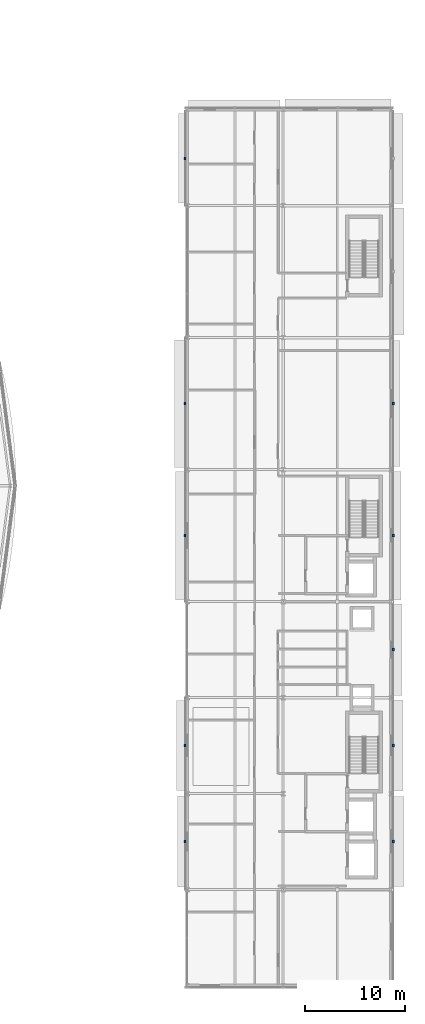
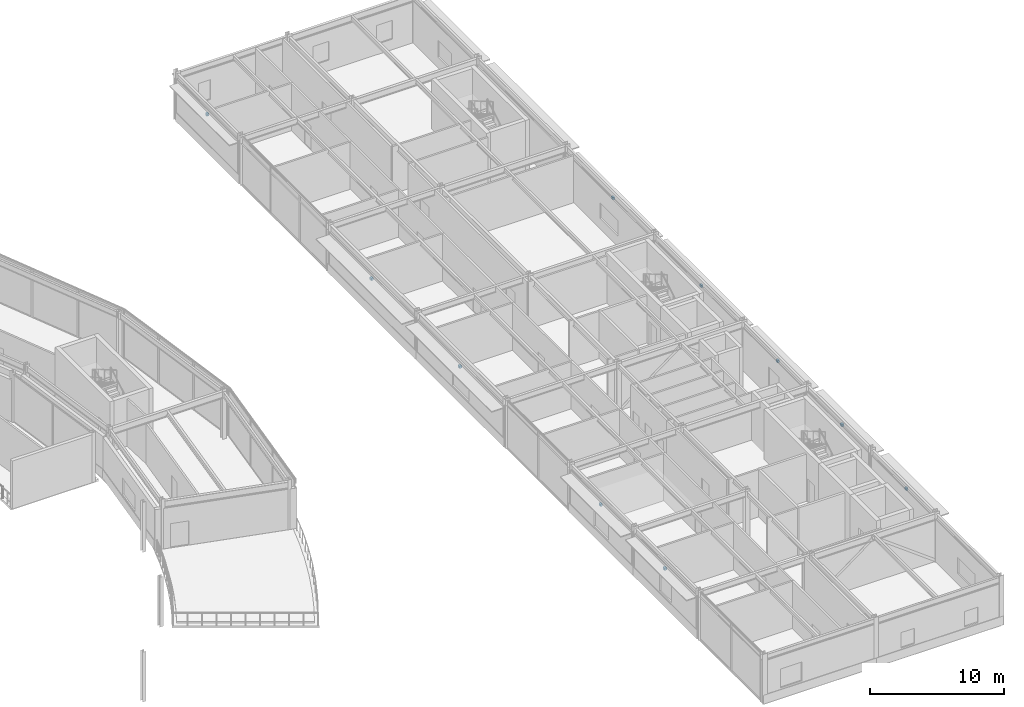
# One storey, part 98 of 116: 10 discrete accessories.
"""IFC4 building model written with IfcOpenShell, lengths in metres."""

import ifcopenshell
import ifcopenshell.guid

model = None  # the IFC model being written
_history = None  # IfcOwnerHistory: only IFC2X3 demands one
_inside = {}  # id of a spatial element -> (the spatial element, [elements in it])
_under = {}  # id of a project, library or spatial element -> (it, [spatial elements below it])
_declared = {}  # id of a project -> (the project, [libraries it declares])
_typed = {}  # id of a type object -> (the type object, [elements of that type])
_made_of = {}  # id of a material, layer set ... -> (it, [elements and type objects made of it])


def new_model(schema):
    """Start an empty IFC model of exactly this schema.

    Asked for "IFC4X3", IfcOpenShell would pick the latest addendum, in which some entities
    have other attributes; the version numbers below select the first issue.
    IFC2X3 requires an IfcOwnerHistory on every rooted entity: one is made here for all.
    """
    global model, _history
    if schema == "IFC4X3":
        model = ifcopenshell.file(schema_version=(4, 3, 0, 0))
    else:
        model = ifcopenshell.file(schema=schema)
    _inside.clear()
    _under.clear()
    _declared.clear()
    _typed.clear()
    _made_of.clear()
    _history = None
    if model.schema == "IFC2X3":
        org = make("IfcOrganization", Name="unknown")
        user = make(
            "IfcPersonAndOrganization",
            ThePerson=make("IfcPerson", FamilyName="unknown"),
            TheOrganization=org,
        )
        app = make(
            "IfcApplication",
            ApplicationDeveloper=org,
            Version="unknown",
            ApplicationFullName="unknown",
            ApplicationIdentifier="unknown",
        )
        _history = make(
            "IfcOwnerHistory",
            OwningUser=user,
            OwningApplication=app,
            ChangeAction="ADDED",
            CreationDate=0,
        )
    return model


def make(cls, **values):
    """One entity of the class cls with the attributes given. An attribute that is None is left unset."""
    return model.create_entity(
        cls, **{name: value for name, value in values.items() if value is not None}
    )


def rooted(cls, **values):
    """An entity with a GlobalId (a new one), such as an element, a storey or a relation."""
    return make(cls, GlobalId=ifcopenshell.guid.new(), OwnerHistory=_history, **values)


def si_unit(unit_type, name, prefix=None):
    """IfcSIUnit, for example si_unit("LENGTHUNIT", "METRE", prefix="MILLI")."""
    return make("IfcSIUnit", UnitType=unit_type, Prefix=prefix, Name=name)


def assignment(units):
    """IfcUnitAssignment: the units of a project."""
    return None if units is None else make("IfcUnitAssignment", Units=units)


def point(xyz):
    """IfcCartesianPoint."""
    return None if xyz is None else make("IfcCartesianPoint", Coordinates=xyz)


def direction(xyz):
    """IfcDirection."""
    return None if xyz is None else make("IfcDirection", DirectionRatios=xyz)


def frame(location, z_axis=None, x_axis=None):
    """IfcAxis2Placement3D, a coordinate frame: its origin and axes. An axis left out is left unset."""
    return make(
        "IfcAxis2Placement3D",
        Location=point(location),
        Axis=direction(z_axis),
        RefDirection=direction(x_axis),
    )


def frame_2d(location, x_axis=None):
    """IfcAxis2Placement2D, a coordinate frame in the plane: its origin and x axis."""
    return make(
        "IfcAxis2Placement2D", Location=point(location), RefDirection=direction(x_axis)
    )


def origin():
    """The frame at (0, 0, 0) with its axes left unset."""
    return frame((0.0, 0.0, 0.0))


def origin_2d():
    """The frame at (0, 0) in the plane with its x axis left unset."""
    return frame_2d((0.0, 0.0))


def place(relative_to, where):
    """IfcLocalPlacement: puts the frame where relative to a parent placement (None: the world)."""
    return make(
        "IfcLocalPlacement", PlacementRelTo=relative_to, RelativePlacement=where
    )


def context(
    kind, dimensions, precision=None, world=None, true_north=None, identifier=None
):
    """IfcGeometricRepresentationContext, for example the 3D "Model" context."""
    return make(
        "IfcGeometricRepresentationContext",
        ContextIdentifier=identifier,
        ContextType=kind,
        CoordinateSpaceDimension=dimensions,
        Precision=precision,
        WorldCoordinateSystem=world,
        TrueNorth=true_north,
    )


def subcontext(parent, identifier, kind, view, scale=None):
    """IfcGeometricRepresentationSubContext, for example "Body" below "Model"."""
    return make(
        "IfcGeometricRepresentationSubContext",
        ContextIdentifier=identifier,
        ContextType=kind,
        ParentContext=parent,
        TargetScale=scale,
        TargetView=view,
    )


def project(units=None, contexts=None):
    """IfcProject with its units and contexts."""
    return rooted(
        "IfcProject",
        Name="project",
        RepresentationContexts=contexts,
        UnitsInContext=assignment(units),
    )


def spatial(cls, under=None, at=None, **own):
    """A site, building, storey or space (cls), placed at a placement, below another one or the project."""
    s = rooted(cls, ObjectPlacement=at, **own)
    if under is not None:
        _under.setdefault(under.id(), (under, []))[1].append(s)
    return s


def profile(cls, at=None, kind="AREA", **sizes):
    """A parametric profile (cls). Its sizes go by their IFC names, for example OverallWidth=200.0."""
    return make(cls, ProfileType=kind, Position=at, **sizes)


def rectangle(**sizes):
    """IfcRectangleProfileDef."""
    return profile("IfcRectangleProfileDef", **sizes)


def extrude(swept, where, along, depth):
    """IfcExtrudedAreaSolid: the profile swept, set in the frame where, extruded along a direction by depth."""
    return make(
        "IfcExtrudedAreaSolid",
        SweptArea=swept,
        Position=where,
        ExtrudedDirection=direction(along),
        Depth=depth,
    )


def shape(context_of_items, identifier, shape_type, items):
    """IfcShapeRepresentation: the items that make up one representation, for example the "Body"."""
    return make(
        "IfcShapeRepresentation",
        ContextOfItems=context_of_items,
        RepresentationIdentifier=identifier,
        RepresentationType=shape_type,
        Items=items,
    )


def material(Name=None, Category=None):
    """IfcMaterial."""
    return make("IfcMaterial", Name=Name, Category=Category)


def layer(
    of_material, thickness, ventilated=None, Name=None, Category=None, Priority=None
):
    """IfcMaterialLayer: one layer of a wall or slab, of a material (None: an air gap)."""
    return make(
        "IfcMaterialLayer",
        Material=of_material,
        LayerThickness=thickness,
        IsVentilated=ventilated,
        Name=Name,
        Category=Category,
        Priority=Priority,
    )


def layer_set(layers, Name=None):
    """IfcMaterialLayerSet."""
    return make("IfcMaterialLayerSet", MaterialLayers=layers, LayerSetName=Name)


def made_of(thing, what):
    """Note that an element or type object is made of a material, layer set ...; save() writes the relation."""
    if what is not None:
        _made_of.setdefault(what.id(), (what, []))[1].append(thing)
    return thing


def type_object(cls, material=None, **own):
    """A type object (cls), such as IfcWallType, which elements share."""
    return made_of(rooted(cls, **own), material)


def element(
    cls,
    number,
    at=None,
    inside=None,
    cuts=None,
    type_object=None,
    material=None,
    context=None,
    identifier="Body",
    shape_type=None,
    held_by="IfcProductDefinitionShape",
    body=None,
    shapes=None,
    **own,
):
    """One element of the class cls, such as IfcWall. Its Tag is "e" and its number.

    at: its placement. inside: the storey or other place that contains it. cuts: it is an
    opening in that element (IfcRelVoidsElement). A single representation is given by context,
    identifier, shape_type and body (its items); several are given by shapes. held_by: the class
    of the entity that holds the representations. save() writes the other relations.
    """
    e = rooted(cls, Tag="e%d" % number, ObjectPlacement=at, **own)
    if body is not None:
        shapes = [shape(context, identifier, shape_type, body)]
    if shapes is not None:
        e.Representation = make(held_by, Representations=shapes)
    if inside is not None:
        _inside.setdefault(inside.id(), (inside, []))[1].append(e)
    if cuts is not None:
        rooted(
            "IfcRelVoidsElement", RelatingBuildingElement=cuts, RelatedOpeningElement=e
        )
    if type_object is not None:
        _typed.setdefault(type_object.id(), (type_object, []))[1].append(e)
    return made_of(e, material)


def aggregate(whole, parts):
    """IfcRelAggregates: a whole, such as a stair, and the parts it consists of."""
    return rooted("IfcRelAggregates", RelatingObject=whole, RelatedObjects=parts)


def save(model, path):
    """Write the relations noted so far, then the file.

    IfcRelAggregates (storeys below a building ...), IfcRelContainedInSpatialStructure (elements
    in a storey), IfcRelDefinesByType, IfcRelAssociatesMaterial and IfcRelDeclares: one each for
    every whole, place, type object, material and project.
    """
    for whole, parts in _under.values():
        aggregate(whole, parts)
    for where, things in _inside.values():
        rooted(
            "IfcRelContainedInSpatialStructure",
            RelatedElements=things,
            RelatingStructure=where,
        )
    for kind, things in _typed.values():
        rooted("IfcRelDefinesByType", RelatedObjects=things, RelatingType=kind)
    for what, things in _made_of.values():
        rooted("IfcRelAssociatesMaterial", RelatedObjects=things, RelatingMaterial=what)
    for by, libraries in _declared.values():
        rooted("IfcRelDeclares", RelatingContext=by, RelatedDefinitions=libraries)
    model.write(path)


model = new_model("IFC4")

# Units and contexts
model_context = context("Model", 3, precision=1e-05, world=origin(), true_north=direction((0.0, 1.0)))
body_context = subcontext(model_context, "Body", "Model", "MODEL_VIEW")
ifc_project = project(units=[si_unit("LENGTHUNIT", "METRE"), si_unit("AREAUNIT", "SQUARE_METRE"), si_unit("VOLUMEUNIT", "CUBIC_METRE"), si_unit("PLANEANGLEUNIT", "RADIAN"), si_unit("MASSUNIT", "GRAM", prefix="KILO")], contexts=[model_context])

# Site, building, storey
site_placement = place(None, origin())
site = spatial("IfcSite", under=ifc_project, at=site_placement, CompositionType="ELEMENT")
building_placement = place(site_placement, origin())
building = spatial("IfcBuilding", under=site, at=building_placement, Name="Almandine Court Research Institute", CompositionType="ELEMENT")
storey_placement = place(building_placement, frame((0.0, 0.0, 14.35009765625)))
storey = spatial("IfcBuildingStorey", under=building, at=storey_placement, Name="L03", CompositionType="ELEMENT", Elevation=14.35009765625)

# Discrete accessories
ifc_material = material(Name="Galvanised Steel Facade Outrigger Bracket", Category="steel")
ifc_layer = layer(ifc_material, 0.219970703125)
ifc_layer_set = layer_set([ifc_layer], Name="Galvanised Steel Facade Outrigger Bracket")
discrete_accessory_type = type_object("IfcDiscreteAccessoryType", Name="Acc-CHJ-BRACKET", PredefinedType="BRACKET", material=ifc_layer_set)
for number, where, z_axis, x_axis, name in (
    (1, (153.39501953125, 20.39990234375, 3.4619140625), (0.0, 0.0, 1.0), (0.0, 1.0, 0.0), "L03 Chhajja Outrigger Bracket 102"),
    (2, (153.39501953125, 30.0, 3.4619140625), (0.0, 0.0, 1.0), (0.0, 1.0, 0.0), "L03 Chhajja Outrigger Bracket 103"),
    (3, (153.39501953125, 51.0, 3.31201171875), (0.0, 0.0, 1.0), (0.0, 1.0, 0.0), "L03 Chhajja Outrigger Bracket 104"),
    (4, (153.39501953125, 64.199951171875, 3.31201171875), (0.0, 0.0, 1.0), (0.0, 1.0, 0.0), "L03 Chhajja Outrigger Bracket 105"),
    (5, (153.39501953125, 88.72705078125, 3.4169921875), (0.0, 0.0, 1.0), (0.0, 1.0, 0.0), "L03 Chhajja Outrigger Bracket 106"),
    (6, (174.205078125, 64.199951171875, 3.3857421875), (0.0, 0.0, 1.0), (0.0, -1.0, 0.0), "L03 Chhajja Outrigger Bracket 111"),
    (7, (174.205078125, 51.0, 3.3857421875), (0.0, 0.0, 1.0), (0.0, -1.0, 0.0), "L03 Chhajja Outrigger Bracket 112"),
    (8, (174.205078125, 39.60009765625, 3.4541015625), (0.0, 0.0, 1.0), (0.0, -1.0, 0.0), "L03 Chhajja Outrigger Bracket 113"),
    (9, (174.205078125, 30.0, 3.4541015625), (0.0, 0.0, 1.0), (0.0, -1.0, 0.0), "L03 Chhajja Outrigger Bracket 114"),
    (10, (174.205078125, 20.39990234375, 3.4541015625), (0.0, 0.0, 1.0), (0.0, -1.0, 0.0), "L03 Chhajja Outrigger Bracket 115"),
):
    element("IfcDiscreteAccessory", number, at=place(storey_placement, frame(where, z_axis=z_axis, x_axis=x_axis)), inside=storey, type_object=discrete_accessory_type, Name=name, PredefinedType="BRACKET", context=body_context, shape_type="SweptSolid", body=[
        extrude(rectangle(XDim=0.239990234375, YDim=0.179931640625, at=origin_2d()), origin(), (0.0, 0.0, 1.0), 0.219970703125),
    ])

save(model, "model.ifc")
